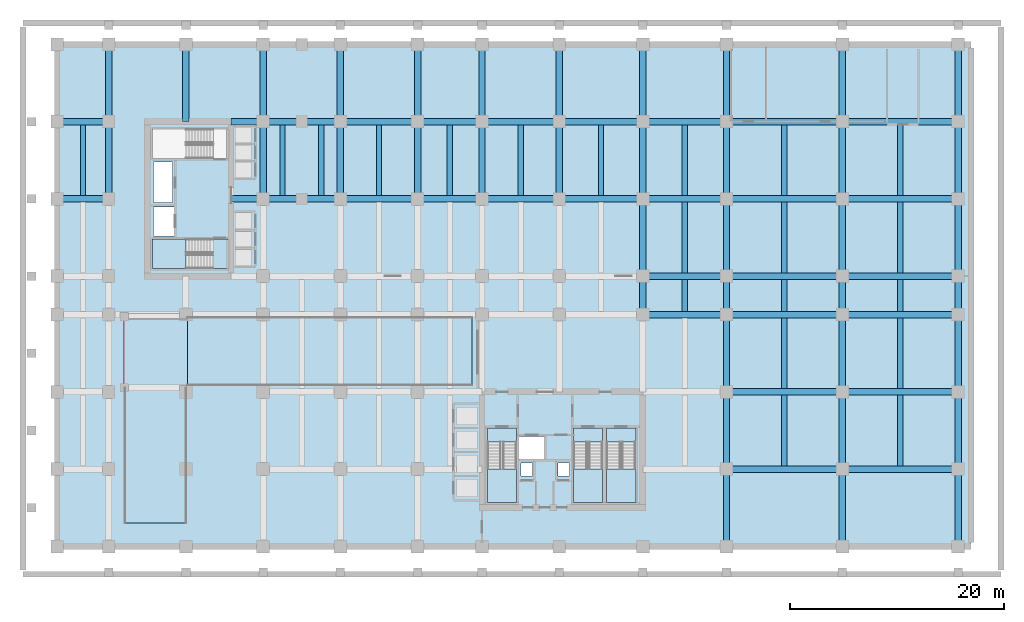
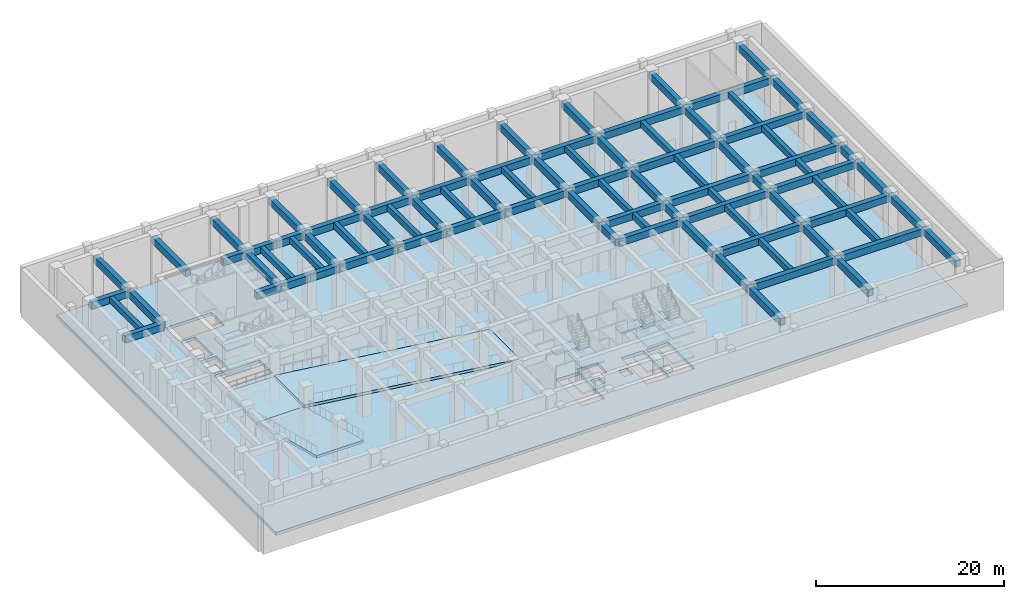
# One storey, part 2 of 13: 90 beams, 16 slabs, 4 elements without a shape of their own.
"""IFC4 building model written with IfcOpenShell, lengths in metres."""

from ifc_helpers import new_model, si_unit, derived_unit, direction, frame, origin, origin_2d, place, context, subcontext, project, spatial, polyline, rectangle, outline, extrude, source, transform, mapped, material, layer, layer_set, material_profile, profile_set, type_object, type_shapes, element, aggregate, save


model = new_model("IFC4")

# Units and contexts
model_context = context("Model", 3, precision=1e-05, world=origin(), true_north=direction((0.0, 1.0)))
body_context = subcontext(model_context, "Body", "Model", "MODEL_VIEW")
ifc_project = project(units=[si_unit("LENGTHUNIT", "METRE"), si_unit("AREAUNIT", "SQUARE_METRE"), si_unit("VOLUMEUNIT", "CUBIC_METRE"), si_unit("PLANEANGLEUNIT", "RADIAN"), si_unit("MASSUNIT", "GRAM", prefix="KILO"), si_unit("THERMODYNAMICTEMPERATUREUNIT", "KELVIN"), si_unit("POWERUNIT", "WATT"), derived_unit("THERMALTRANSMITTANCEUNIT", [(si_unit("POWERUNIT", "WATT"), 1), (si_unit("AREAUNIT", "SQUARE_METRE"), -1), (si_unit("THERMODYNAMICTEMPERATUREUNIT", "KELVIN"), -1)])], contexts=[model_context])

# Site, building, storey
site_placement = place(None, origin())
site = spatial("IfcSite", under=ifc_project, at=site_placement, CompositionType="ELEMENT")
building_placement = place(site_placement, origin())
building = spatial("IfcBuilding", under=site, at=building_placement, Name="Zahravan Archway Hotel and Residences", CompositionType="ELEMENT")
storey_placement = place(building_placement, frame((0.0, 0.0, -6.5)))
storey = spatial("IfcBuildingStorey", under=building, at=storey_placement, Name="B01", CompositionType="ELEMENT", Elevation=-6.5)

# Beams
ifc_material = material(Name="Concrete C50/60", Category="concrete")
ifc_material_profile_1 = material_profile(ifc_material, rectangle(XDim=0.60009765625, YDim=0.89990234375, at=origin_2d()), Name="RC-BM-600x900", Category="concrete")
ifc_profile_set_1 = profile_set([ifc_material_profile_1], Name="Concrete C50/60")
beam_type_1 = type_object("IfcBeamType", Name="BM-RC-600x900", PredefinedType="BEAM", material=ifc_profile_set_1)
shared_shape_1 = source(origin(), body_context, "Body", "SweptSolid", [
    extrude(rectangle(XDim=0.60009765625, YDim=0.89990234375, at=origin_2d()), origin(), (0.0, 0.0, 1.0), 4.800048828125),
])
type_shapes(beam_type_1, [shared_shape_1])
for number, where, z_axis, x_axis, name in (
    (1, (-4.800048828125, 32.39990234375, 5.64990234375), (1.0, 0.0, 0.0), (0.0, 1.0, 0.0), "B01 Primary Girder EW-36"),
    (2, (-4.800048828125, 39.60009765625, 5.64990234375), (1.0, 0.0, 0.0), (0.0, 1.0, 0.0), "B01 Primary Girder EW-47"),
):
    element("IfcBeam", number, at=place(storey_placement, frame(where, z_axis=z_axis, x_axis=x_axis)), inside=storey, type_object=beam_type_1, Name=name, PredefinedType="BEAM", context=body_context, shape_type="MappedRepresentation", body=[
        mapped(shared_shape_1, transform((0.0, 0.0, 0.0), scale=1.0)),
    ])
shared_shape_2 = source(origin(), body_context, "Body", "SweptSolid", [
    extrude(rectangle(XDim=0.60009765625, YDim=0.89990234375, at=origin_2d()), origin(), (0.0, 0.0, 1.0), 7.199951171875),
])
for number, where, z_axis, x_axis, name in (
    (3, (21.60009765625, 32.39990234375, 5.64990234375), (1.0, 0.0, 0.0), (0.0, 1.0, 0.0), "B01 Primary Girder EW-40"),
    (4, (34.800048828125, 32.39990234375, 5.64990234375), (1.0, 0.0, 0.0), (0.0, 1.0, 0.0), "B01 Primary Girder EW-42"),
    (5, (21.60009765625, 39.60009765625, 5.64990234375), (1.0, 0.0, 0.0), (0.0, 1.0, 0.0), "B01 Primary Girder EW-51"),
    (6, (34.800048828125, 39.60009765625, 5.64990234375), (1.0, 0.0, 0.0), (0.0, 1.0, 0.0), "B01 Primary Girder EW-53"),
    (7, (0.0, 39.60009765625, 5.64990234375), (0.0, 1.0, 0.0), (-1.0, 0.0, 0.0), "B01 Primary Girder NS-64"),
    (8, (7.199951171875, 39.60009765625, 5.64990234375), (0.0, 1.0, 0.0), (-1.0, 0.0, 0.0), "B01 Primary Girder NS-66"),
    (9, (14.39990234375, 39.60009765625, 5.64990234375), (0.0, 1.0, 0.0), (-1.0, 0.0, 0.0), "B01 Primary Girder NS-73"),
    (10, (21.60009765625, 39.60009765625, 5.64990234375), (0.0, 1.0, 0.0), (-1.0, 0.0, 0.0), "B01 Primary Girder NS-80"),
    (11, (28.800048828125, 39.60009765625, 5.64990234375), (0.0, 1.0, 0.0), (-1.0, 0.0, 0.0), "B01 Primary Girder NS-87"),
    (12, (34.800048828125, 39.60009765625, 5.64990234375), (0.0, 1.0, 0.0), (-1.0, 0.0, 0.0), "B01 Primary Girder NS-92"),
    (13, (42.0, 39.60009765625, 5.64990234375), (0.0, 1.0, 0.0), (-1.0, 0.0, 0.0), "B01 Primary Girder NS-97"),
    (14, (49.800048828125, 25.199951171875, 5.64990234375), (0.0, 1.0, 0.0), (-1.0, 0.0, 0.0), "B01 Primary Girder NS-100"),
    (15, (49.800048828125, 39.60009765625, 5.64990234375), (0.0, 1.0, 0.0), (-1.0, 0.0, 0.0), "B01 Primary Girder NS-102"),
    (16, (57.60009765625, 0.0, 5.64990234375), (0.0, 1.0, 0.0), (-1.0, 0.0, 0.0), "B01 Primary Girder NS-103"),
    (17, (57.60009765625, 7.199951171875, 5.64990234375), (0.0, 1.0, 0.0), (-1.0, 0.0, 0.0), "B01 Primary Girder NS-104"),
    (18, (57.60009765625, 25.199951171875, 5.64990234375), (0.0, 1.0, 0.0), (-1.0, 0.0, 0.0), "B01 Primary Girder NS-107"),
    (19, (57.60009765625, 39.60009765625, 5.64990234375), (0.0, 1.0, 0.0), (-1.0, 0.0, 0.0), "B01 Primary Girder NS-109"),
    (20, (68.39990234375, 0.0, 5.64990234375), (0.0, 1.0, 0.0), (-1.0, 0.0, 0.0), "B01 Primary Girder NS-110"),
    (21, (68.39990234375, 7.199951171875, 5.64990234375), (0.0, 1.0, 0.0), (-1.0, 0.0, 0.0), "B01 Primary Girder NS-111"),
    (22, (68.39990234375, 25.199951171875, 5.64990234375), (0.0, 1.0, 0.0), (-1.0, 0.0, 0.0), "B01 Primary Girder NS-114"),
    (23, (68.39990234375, 39.60009765625, 5.64990234375), (0.0, 1.0, 0.0), (-1.0, 0.0, 0.0), "B01 Primary Girder NS-116"),
    (24, (79.199951171875, 0.0, 5.64990234375), (0.0, 1.0, 0.0), (-1.0, 0.0, 0.0), "B01 Primary Girder NS-117"),
    (25, (79.199951171875, 7.199951171875, 5.64990234375), (0.0, 1.0, 0.0), (-1.0, 0.0, 0.0), "B01 Primary Girder NS-118"),
    (26, (79.199951171875, 25.199951171875, 5.64990234375), (0.0, 1.0, 0.0), (-1.0, 0.0, 0.0), "B01 Primary Girder NS-121"),
    (27, (79.199951171875, 39.60009765625, 5.64990234375), (0.0, 1.0, 0.0), (-1.0, 0.0, 0.0), "B01 Primary Girder NS-123"),
):
    element("IfcBeam", number, at=place(storey_placement, frame(where, z_axis=z_axis, x_axis=x_axis)), inside=storey, type_object=beam_type_1, Name=name, PredefinedType="BEAM", context=body_context, shape_type="MappedRepresentation", body=[
        mapped(shared_shape_2, transform((0.0, 0.0, 0.0), scale=1.0)),
    ])
shared_shape_3 = source(origin(), body_context, "Body", "SweptSolid", [
    extrude(rectangle(XDim=0.60009765625, YDim=0.89990234375, at=origin_2d()), origin(), (0.0, 0.0, 1.0), 7.2001953125),
])
for number, where, z_axis, x_axis, name in (
    (28, (0.0, 32.39990234375, 5.64990234375), (0.0, 1.0, 0.0), (-1.0, 0.0, 0.0), "B01 Primary Girder NS-63"),
    (29, (14.39990234375, 32.39990234375, 5.64990234375), (0.0, 1.0, 0.0), (-1.0, 0.0, 0.0), "B01 Primary Girder NS-72"),
    (30, (21.60009765625, 32.39990234375, 5.64990234375), (0.0, 1.0, 0.0), (-1.0, 0.0, 0.0), "B01 Primary Girder NS-79"),
    (31, (28.800048828125, 32.39990234375, 5.64990234375), (0.0, 1.0, 0.0), (-1.0, 0.0, 0.0), "B01 Primary Girder NS-86"),
    (32, (34.800048828125, 32.39990234375, 5.64990234375), (0.0, 1.0, 0.0), (-1.0, 0.0, 0.0), "B01 Primary Girder NS-91"),
    (33, (42.0, 32.39990234375, 5.64990234375), (0.0, 1.0, 0.0), (-1.0, 0.0, 0.0), "B01 Primary Girder NS-96"),
    (34, (49.800048828125, 32.39990234375, 5.64990234375), (0.0, 1.0, 0.0), (-1.0, 0.0, 0.0), "B01 Primary Girder NS-101"),
    (35, (57.60009765625, 14.39990234375, 5.64990234375), (0.0, 1.0, 0.0), (-1.0, 0.0, 0.0), "B01 Primary Girder NS-105"),
    (36, (57.60009765625, 32.39990234375, 5.64990234375), (0.0, 1.0, 0.0), (-1.0, 0.0, 0.0), "B01 Primary Girder NS-108"),
    (37, (68.39990234375, 14.39990234375, 5.64990234375), (0.0, 1.0, 0.0), (-1.0, 0.0, 0.0), "B01 Primary Girder NS-112"),
    (38, (68.39990234375, 32.39990234375, 5.64990234375), (0.0, 1.0, 0.0), (-1.0, 0.0, 0.0), "B01 Primary Girder NS-115"),
    (39, (79.199951171875, 14.39990234375, 5.64990234375), (0.0, 1.0, 0.0), (-1.0, 0.0, 0.0), "B01 Primary Girder NS-119"),
    (40, (79.199951171875, 32.39990234375, 5.64990234375), (0.0, 1.0, 0.0), (-1.0, 0.0, 0.0), "B01 Primary Girder NS-122"),
):
    element("IfcBeam", number, at=place(storey_placement, frame(where, z_axis=z_axis, x_axis=x_axis)), inside=storey, type_object=beam_type_1, Name=name, PredefinedType="BEAM", context=body_context, shape_type="MappedRepresentation", body=[
        mapped(shared_shape_3, transform((0.0, 0.0, 0.0), scale=1.0)),
    ])
shared_shape_4 = source(origin(), body_context, "Body", "SweptSolid", [
    extrude(rectangle(XDim=0.60009765625, YDim=0.89990234375, at=origin_2d()), origin(), (0.0, 0.0, 1.0), 6.0),
])
for number, where, z_axis, x_axis, name in (
    (41, (28.800048828125, 32.39990234375, 5.64990234375), (1.0, 0.0, 0.0), (0.0, 1.0, 0.0), "B01 Primary Girder EW-41"),
    (42, (28.800048828125, 39.60009765625, 5.64990234375), (1.0, 0.0, 0.0), (0.0, 1.0, 0.0), "B01 Primary Girder EW-52"),
):
    element("IfcBeam", number, at=place(storey_placement, frame(where, z_axis=z_axis, x_axis=x_axis)), inside=storey, type_object=beam_type_1, Name=name, PredefinedType="BEAM", context=body_context, shape_type="MappedRepresentation", body=[
        mapped(shared_shape_4, transform((0.0, 0.0, 0.0), scale=1.0)),
    ])
shared_shape_5 = source(origin(), body_context, "Body", "SweptSolid", [
    extrude(rectangle(XDim=0.60009765625, YDim=0.89990234375, at=origin_2d()), origin(), (0.0, 0.0, 1.0), 7.800048828125),
])
for number, where, z_axis, x_axis, name in (
    (43, (49.800048828125, 21.60009765625, 5.64990234375), (1.0, 0.0, 0.0), (0.0, 1.0, 0.0), "B01 Primary Girder EW-23"),
    (44, (49.800048828125, 25.199951171875, 5.64990234375), (1.0, 0.0, 0.0), (0.0, 1.0, 0.0), "B01 Primary Girder EW-33"),
    (45, (42.0, 32.39990234375, 5.64990234375), (1.0, 0.0, 0.0), (0.0, 1.0, 0.0), "B01 Primary Girder EW-43"),
    (46, (49.800048828125, 32.39990234375, 5.64990234375), (1.0, 0.0, 0.0), (0.0, 1.0, 0.0), "B01 Primary Girder EW-44"),
    (47, (42.0, 39.60009765625, 5.64990234375), (1.0, 0.0, 0.0), (0.0, 1.0, 0.0), "B01 Primary Girder EW-54"),
    (48, (49.800048828125, 39.60009765625, 5.64990234375), (1.0, 0.0, 0.0), (0.0, 1.0, 0.0), "B01 Primary Girder EW-55"),
):
    element("IfcBeam", number, at=place(storey_placement, frame(where, z_axis=z_axis, x_axis=x_axis)), inside=storey, type_object=beam_type_1, Name=name, PredefinedType="BEAM", context=body_context, shape_type="MappedRepresentation", body=[
        mapped(shared_shape_5, transform((0.0, 0.0, 0.0), scale=1.0)),
    ])
shared_shape_6 = source(origin(), body_context, "Body", "SweptSolid", [
    extrude(rectangle(XDim=0.60009765625, YDim=0.89990234375, at=origin_2d()), origin(), (0.0, 0.0, 1.0), 10.7998046875),
])
for number, where, z_axis, x_axis, name in (
    (49, (57.60009765625, 7.199951171875, 5.64990234375), (1.0, 0.0, 0.0), (0.0, 1.0, 0.0), "B01 Primary Girder EW-06"),
    (50, (57.60009765625, 14.39990234375, 5.64990234375), (1.0, 0.0, 0.0), (0.0, 1.0, 0.0), "B01 Primary Girder EW-13"),
    (51, (57.60009765625, 21.60009765625, 5.64990234375), (1.0, 0.0, 0.0), (0.0, 1.0, 0.0), "B01 Primary Girder EW-24"),
    (52, (57.60009765625, 25.199951171875, 5.64990234375), (1.0, 0.0, 0.0), (0.0, 1.0, 0.0), "B01 Primary Girder EW-34"),
    (53, (57.60009765625, 32.39990234375, 5.64990234375), (1.0, 0.0, 0.0), (0.0, 1.0, 0.0), "B01 Primary Girder EW-45"),
    (54, (57.60009765625, 39.60009765625, 5.64990234375), (1.0, 0.0, 0.0), (0.0, 1.0, 0.0), "B01 Primary Girder EW-56"),
):
    element("IfcBeam", number, at=place(storey_placement, frame(where, z_axis=z_axis, x_axis=x_axis)), inside=storey, type_object=beam_type_1, Name=name, PredefinedType="BEAM", context=body_context, shape_type="MappedRepresentation", body=[
        mapped(shared_shape_6, transform((0.0, 0.0, 0.0), scale=1.0)),
    ])
shared_shape_7 = source(origin(), body_context, "Body", "SweptSolid", [
    extrude(rectangle(XDim=0.60009765625, YDim=0.89990234375, at=origin_2d()), origin(), (0.0, 0.0, 1.0), 10.800048828125),
])
for number, where, z_axis, x_axis, name in (
    (55, (68.39990234375, 7.199951171875, 5.64990234375), (1.0, 0.0, 0.0), (0.0, 1.0, 0.0), "B01 Primary Girder EW-07"),
    (56, (68.39990234375, 14.39990234375, 5.64990234375), (1.0, 0.0, 0.0), (0.0, 1.0, 0.0), "B01 Primary Girder EW-14"),
    (57, (68.39990234375, 21.60009765625, 5.64990234375), (1.0, 0.0, 0.0), (0.0, 1.0, 0.0), "B01 Primary Girder EW-25"),
    (58, (68.39990234375, 25.199951171875, 5.64990234375), (1.0, 0.0, 0.0), (0.0, 1.0, 0.0), "B01 Primary Girder EW-35"),
    (59, (68.39990234375, 32.39990234375, 5.64990234375), (1.0, 0.0, 0.0), (0.0, 1.0, 0.0), "B01 Primary Girder EW-46"),
    (60, (68.39990234375, 39.60009765625, 5.64990234375), (1.0, 0.0, 0.0), (0.0, 1.0, 0.0), "B01 Primary Girder EW-57"),
):
    element("IfcBeam", number, at=place(storey_placement, frame(where, z_axis=z_axis, x_axis=x_axis)), inside=storey, type_object=beam_type_1, Name=name, PredefinedType="BEAM", context=body_context, shape_type="MappedRepresentation", body=[
        mapped(shared_shape_7, transform((0.0, 0.0, 0.0), scale=1.0)),
    ])
shared_shape_8 = source(origin(), body_context, "Body", "SweptSolid", [
    extrude(rectangle(XDim=0.60009765625, YDim=0.89990234375, at=origin_2d()), origin(), (0.0, 0.0, 1.0), 3.0),
])
for number, where, z_axis, x_axis, name in (
    (61, (11.39990234375, 32.39990234375, 5.64990234375), (1.0, 0.0, 0.0), (0.0, 1.0, 0.0), "B01 Primary Girder EW-37"),
    (62, (11.39990234375, 39.60009765625, 5.64990234375), (1.0, 0.0, 0.0), (0.0, 1.0, 0.0), "B01 Primary Girder EW-48"),
):
    element("IfcBeam", number, at=place(storey_placement, frame(where, z_axis=z_axis, x_axis=x_axis)), inside=storey, type_object=beam_type_1, Name=name, PredefinedType="BEAM", context=body_context, shape_type="MappedRepresentation", body=[
        mapped(shared_shape_8, transform((0.0, 0.0, 0.0), scale=1.0)),
    ])
shared_shape_9 = source(origin(), body_context, "Body", "SweptSolid", [
    extrude(rectangle(XDim=0.60009765625, YDim=0.89990234375, at=origin_2d()), origin(), (0.0, 0.0, 1.0), 3.60009765625),
])
for number, where, z_axis, x_axis, name in (
    (63, (14.39990234375, 32.39990234375, 5.64990234375), (1.0, 0.0, 0.0), (0.0, 1.0, 0.0), "B01 Primary Girder EW-38"),
    (64, (18.0, 32.39990234375, 5.64990234375), (1.0, 0.0, 0.0), (0.0, 1.0, 0.0), "B01 Primary Girder EW-39"),
    (65, (14.39990234375, 39.60009765625, 5.64990234375), (1.0, 0.0, 0.0), (0.0, 1.0, 0.0), "B01 Primary Girder EW-49"),
    (66, (18.0, 39.60009765625, 5.64990234375), (1.0, 0.0, 0.0), (0.0, 1.0, 0.0), "B01 Primary Girder EW-50"),
):
    element("IfcBeam", number, at=place(storey_placement, frame(where, z_axis=z_axis, x_axis=x_axis)), inside=storey, type_object=beam_type_1, Name=name, PredefinedType="BEAM", context=body_context, shape_type="MappedRepresentation", body=[
        mapped(shared_shape_9, transform((0.0, 0.0, 0.0), scale=1.0)),
    ])
shared_shape_10 = source(origin(), body_context, "Body", "SweptSolid", [
    extrude(rectangle(XDim=0.60009765625, YDim=0.89990234375, at=origin_2d()), origin(), (0.0, 0.0, 1.0), 3.599853515625),
])
for number, where, z_axis, x_axis, name in (
    (67, (49.800048828125, 21.60009765625, 5.64990234375), (0.0, 1.0, 0.0), (-1.0, 0.0, 0.0), "B01 Primary Girder NS-99"),
    (68, (57.60009765625, 21.60009765625, 5.64990234375), (0.0, 1.0, 0.0), (-1.0, 0.0, 0.0), "B01 Primary Girder NS-106"),
    (69, (68.39990234375, 21.60009765625, 5.64990234375), (0.0, 1.0, 0.0), (-1.0, 0.0, 0.0), "B01 Primary Girder NS-113"),
    (70, (79.199951171875, 21.60009765625, 5.64990234375), (0.0, 1.0, 0.0), (-1.0, 0.0, 0.0), "B01 Primary Girder NS-120"),
):
    element("IfcBeam", number, at=place(storey_placement, frame(where, z_axis=z_axis, x_axis=x_axis)), inside=storey, type_object=beam_type_1, Name=name, PredefinedType="BEAM", context=body_context, shape_type="MappedRepresentation", body=[
        mapped(shared_shape_10, transform((0.0, 0.0, 0.0), scale=1.0)),
    ])
ifc_material_profile_2 = material_profile(ifc_material, rectangle(XDim=0.5, YDim=0.75, at=origin_2d()), Name="RC-BM-500x750", Category="concrete")
ifc_profile_set_2 = profile_set([ifc_material_profile_2], Name="Concrete C50/60")
beam_type_2 = type_object("IfcBeamType", Name="BM-RC-500x750", PredefinedType="BEAM", material=ifc_profile_set_2)
shared_shape_11 = source(origin(), body_context, "Body", "SweptSolid", [
    extrude(rectangle(XDim=0.5, YDim=0.75, at=origin_2d()), origin(), (0.0, 0.0, 1.0), 6.60400390625),
])
type_shapes(beam_type_2, [shared_shape_11])
for number, where, z_axis, x_axis, name in (
    (71, (63.0, 7.498046875, 5.72509765625), (0.0, 1.0, 0.0), (-1.0, 0.0, 0.0), "B01 Composite Floor Joist 06"),
    (72, (73.800048828125, 7.498046875, 5.72509765625), (0.0, 1.0, 0.0), (-1.0, 0.0, 0.0), "B01 Composite Floor Joist 07"),
    (73, (63.0, 14.697998046875, 5.72509765625), (0.0, 1.0, 0.0), (-1.0, 0.0, 0.0), "B01 Composite Floor Joist 13"),
    (74, (73.800048828125, 14.697998046875, 5.72509765625), (0.0, 1.0, 0.0), (-1.0, 0.0, 0.0), "B01 Composite Floor Joist 14"),
    (75, (53.699951171875, 25.498046875, 5.72509765625), (0.0, 1.0, 0.0), (-1.0, 0.0, 0.0), "B01 Composite Floor Joist 29"),
    (76, (63.0, 25.498046875, 5.72509765625), (0.0, 1.0, 0.0), (-1.0, 0.0, 0.0), "B01 Composite Floor Joist 30"),
    (77, (73.800048828125, 25.498046875, 5.72509765625), (0.0, 1.0, 0.0), (-1.0, 0.0, 0.0), "B01 Composite Floor Joist 31"),
    (78, (-2.39990234375, 32.697998046875, 5.72509765625), (0.0, 1.0, 0.0), (-1.0, 0.0, 0.0), "B01 Composite Floor Joist 32"),
    (79, (16.199951171875, 32.697998046875, 5.72509765625), (0.0, 1.0, 0.0), (-1.0, 0.0, 0.0), "B01 Composite Floor Joist 33"),
    (80, (19.800048828125, 32.697998046875, 5.72509765625), (0.0, 1.0, 0.0), (-1.0, 0.0, 0.0), "B01 Composite Floor Joist 34"),
    (81, (25.199951171875, 32.697998046875, 5.72509765625), (0.0, 1.0, 0.0), (-1.0, 0.0, 0.0), "B01 Composite Floor Joist 35"),
    (82, (31.800048828125, 32.697998046875, 5.72509765625), (0.0, 1.0, 0.0), (-1.0, 0.0, 0.0), "B01 Composite Floor Joist 36"),
    (83, (38.39990234375, 32.697998046875, 5.72509765625), (0.0, 1.0, 0.0), (-1.0, 0.0, 0.0), "B01 Composite Floor Joist 37"),
    (84, (45.89990234375, 32.697998046875, 5.72509765625), (0.0, 1.0, 0.0), (-1.0, 0.0, 0.0), "B01 Composite Floor Joist 38"),
    (85, (53.699951171875, 32.697998046875, 5.72509765625), (0.0, 1.0, 0.0), (-1.0, 0.0, 0.0), "B01 Composite Floor Joist 39"),
    (86, (63.0, 32.697998046875, 5.72509765625), (0.0, 1.0, 0.0), (-1.0, 0.0, 0.0), "B01 Composite Floor Joist 40"),
    (87, (73.800048828125, 32.697998046875, 5.72509765625), (0.0, 1.0, 0.0), (-1.0, 0.0, 0.0), "B01 Composite Floor Joist 41"),
):
    element("IfcBeam", number, at=place(storey_placement, frame(where, z_axis=z_axis, x_axis=x_axis)), inside=storey, type_object=beam_type_2, Name=name, PredefinedType="JOIST", context=body_context, shape_type="MappedRepresentation", body=[
        mapped(shared_shape_11, transform((0.0, 0.0, 0.0), scale=1.0)),
    ])
shared_shape_12 = source(origin(), body_context, "Body", "SweptSolid", [
    extrude(rectangle(XDim=0.5, YDim=0.75, at=origin_2d()), origin(), (0.0, 0.0, 1.0), 3.004150390625),
])
for number, where, z_axis, x_axis, name in (
    (88, (53.699951171875, 21.89794921875, 5.72509765625), (0.0, 1.0, 0.0), (-1.0, 0.0, 0.0), "B01 Composite Floor Joist 21"),
    (89, (63.0, 21.89794921875, 5.72509765625), (0.0, 1.0, 0.0), (-1.0, 0.0, 0.0), "B01 Composite Floor Joist 22"),
    (90, (73.800048828125, 21.89794921875, 5.72509765625), (0.0, 1.0, 0.0), (-1.0, 0.0, 0.0), "B01 Composite Floor Joist 23"),
):
    element("IfcBeam", number, at=place(storey_placement, frame(where, z_axis=z_axis, x_axis=x_axis)), inside=storey, type_object=beam_type_2, Name=name, PredefinedType="JOIST", context=body_context, shape_type="MappedRepresentation", body=[
        mapped(shared_shape_12, transform((0.0, 0.0, 0.0), scale=1.0)),
    ])

# Slabs
ifc_layer_1 = layer(ifc_material, 0.39990234375, Name="Concrete C50/60", Category="concrete")
ifc_layer_set_1 = layer_set([ifc_layer_1], Name="Concrete C50/60")
slab_type_1 = type_object("IfcSlabType", Name="SLB-FLR-400", PredefinedType="FLOOR", material=ifc_layer_set_1)
slab_1_placement = place(storey_placement, frame((0.0, 0.0, -0.39990234375)))
element("IfcSlab", 91, at=slab_1_placement, inside=storey, type_object=slab_type_1, Name="B01 Floor Slab MAIN", PredefinedType="FLOOR", context=body_context, shape_type="SweptSolid", body=[
    extrude(outline(polyline([(-4.800048828125, 0.0), (80.39990234375, 0.0), (80.39990234375, 46.800048828125), (-4.800048828125, 46.800048828125), (-4.800048828125, 0.0)]), holes=[polyline([(35.300048828125, 9.72998046875), (35.300048828125, 4.10009765625), (38.0400390625, 4.10009765625), (38.0400390625, 9.72998046875), (35.300048828125, 9.72998046875)]), polyline([(43.320068359375, 9.72998046875), (43.320068359375, 4.10009765625), (46.06005859375, 4.10009765625), (46.06005859375, 9.72998046875), (43.320068359375, 9.72998046875)]), polyline([(46.39990234375, 9.72998046875), (46.39990234375, 4.10009765625), (49.139892578125, 4.10009765625), (49.139892578125, 9.72998046875), (46.39990234375, 9.72998046875)]), polyline([(9.72998046875, 28.639892578125), (4.10009765625, 28.639892578125), (4.10009765625, 25.89990234375), (9.72998046875, 25.89990234375), (9.72998046875, 28.639892578125)]), polyline([(9.72998046875, 38.89990234375), (4.10009765625, 38.89990234375), (4.10009765625, 36.159912109375), (9.72998046875, 36.159912109375), (9.72998046875, 38.89990234375)]), polyline([(38.179931640625, 8.14990234375), (40.699951171875, 8.14990234375), (40.699951171875, 10.25), (38.179931640625, 10.25), (38.179931640625, 8.14990234375)]), polyline([(4.14990234375, 28.949951171875), (6.10009765625, 28.949951171875), (6.10009765625, 31.64990234375), (4.14990234375, 31.64990234375), (4.14990234375, 28.949951171875)]), polyline([(30.75, 14.97998046875), (33.800048828125, 14.97998046875), (33.800048828125, 21.419921875), (30.75, 21.419921875), (30.75, 14.97998046875)]), polyline([(38.419921875, 6.56005859375), (39.5, 6.56005859375), (39.5, 7.780029296875), (38.419921875, 7.780029296875), (38.419921875, 6.56005859375)]), polyline([(41.89990234375, 6.56005859375), (42.9599609375, 6.56005859375), (42.9599609375, 7.780029296875), (41.89990234375, 7.780029296875), (41.89990234375, 6.56005859375)]), polyline([(4.179931640625, 32.050048828125), (5.93994140625, 32.050048828125), (5.93994140625, 35.840087890625), (4.179931640625, 35.840087890625), (4.179931640625, 32.050048828125)])]), origin(), (0.0, 0.0, 1.0), 0.39990234375),
])
slab_2_placement = place(storey_placement, frame((0.0, 0.0, 2.85009765625)))
element("IfcSlab", 92, at=slab_2_placement, inside=storey, type_object=slab_type_1, Name="Car Park Structural Vehicle Ramp Half-Landing", PredefinedType="FLOOR", context=body_context, shape_type="SweptSolid", body=[
    extrude(outline(polyline([(1.39990234375, 14.75), (7.35009765625, 14.75), (7.35009765625, 21.25), (1.39990234375, 21.25), (1.39990234375, 14.75)])), origin(), (0.0, 0.0, 1.0), 0.39990234375),
])

# Stair, slabs
stair_type = type_object("IfcStairType", Name="STR-CORE-1300", PredefinedType="HALF_TURN_STAIR", material=ifc_material)
stair_1_placement = place(storey_placement, origin())
stair_1 = element("IfcStair", 93, at=stair_1_placement, inside=storey, type_object=stair_type, Name="B01 Core A Exit Stair 1", PredefinedType="HALF_TURN_STAIR")
ifc_layer_2 = layer(ifc_material, 0.199951171875, Name="Concrete C50/60", Category="concrete")
ifc_layer_set_2 = layer_set([ifc_layer_2], Name="Concrete C50/60")
slab_type_2 = type_object("IfcSlabType", Name="SLB-LND-200", PredefinedType="LANDING", material=ifc_layer_set_2)
slab_3_placement = place(storey_placement, frame((0.0, 0.0, 1.425048828125)))
slab_3 = element("IfcSlab", 94, at=slab_3_placement, type_object=slab_type_2, Name="ST-A1 landing 1", PredefinedType="LANDING", context=body_context, shape_type="SweptSolid", body=[
    extrude(outline(polyline([(35.300048828125, 7.2099609375), (35.300048828125, 4.10009765625), (38.0400390625, 4.10009765625), (38.0400390625, 7.2099609375), (35.300048828125, 7.2099609375)])), origin(), (0.0, 0.0, 1.0), 0.199951171875),
])
slab_4_placement = place(storey_placement, frame((0.0, 0.0, 3.050048828125)))
slab_4 = element("IfcSlab", 95, at=slab_4_placement, type_object=slab_type_2, Name="ST-A1 landing 2", PredefinedType="LANDING", context=body_context, shape_type="SweptSolid", body=[
    extrude(outline(polyline([(35.300048828125, 11.050048828125), (35.300048828125, 9.72998046875), (38.0400390625, 9.72998046875), (38.0400390625, 11.050048828125), (35.300048828125, 11.050048828125)])), origin(), (0.0, 0.0, 1.0), 0.199951171875),
])
slab_5_placement = place(storey_placement, frame((0.0, 0.0, 4.675048828125)))
slab_5 = element("IfcSlab", 96, at=slab_5_placement, type_object=slab_type_2, Name="ST-A1 landing 3", PredefinedType="LANDING", context=body_context, shape_type="SweptSolid", body=[
    extrude(outline(polyline([(35.300048828125, 7.2099609375), (35.300048828125, 4.10009765625), (38.0400390625, 4.10009765625), (38.0400390625, 7.2099609375), (35.300048828125, 7.2099609375)])), origin(), (0.0, 0.0, 1.0), 0.199951171875),
])
aggregate(stair_1, [slab_3, slab_4, slab_5])

stair_2_placement = place(storey_placement, origin())
stair_2 = element("IfcStair", 97, at=stair_2_placement, inside=storey, type_object=stair_type, Name="B01 Core A Exit Stair 2", PredefinedType="HALF_TURN_STAIR")
slab_6_placement = place(storey_placement, frame((0.0, 0.0, 1.425048828125)))
slab_6 = element("IfcSlab", 98, at=slab_6_placement, type_object=slab_type_2, Name="ST-A2 landing 1", PredefinedType="LANDING", context=body_context, shape_type="SweptSolid", body=[
    extrude(outline(polyline([(43.320068359375, 7.2099609375), (43.320068359375, 4.10009765625), (46.06005859375, 4.10009765625), (46.06005859375, 7.2099609375), (43.320068359375, 7.2099609375)])), origin(), (0.0, 0.0, 1.0), 0.199951171875),
])
slab_7_placement = place(storey_placement, frame((0.0, 0.0, 3.050048828125)))
slab_7 = element("IfcSlab", 99, at=slab_7_placement, type_object=slab_type_2, Name="ST-A2 landing 2", PredefinedType="LANDING", context=body_context, shape_type="SweptSolid", body=[
    extrude(outline(polyline([(43.320068359375, 11.050048828125), (43.320068359375, 9.72998046875), (46.06005859375, 9.72998046875), (46.06005859375, 11.050048828125), (43.320068359375, 11.050048828125)])), origin(), (0.0, 0.0, 1.0), 0.199951171875),
])
slab_8_placement = place(storey_placement, frame((0.0, 0.0, 4.675048828125)))
slab_8 = element("IfcSlab", 100, at=slab_8_placement, type_object=slab_type_2, Name="ST-A2 landing 3", PredefinedType="LANDING", context=body_context, shape_type="SweptSolid", body=[
    extrude(outline(polyline([(43.320068359375, 7.2099609375), (43.320068359375, 4.10009765625), (46.06005859375, 4.10009765625), (46.06005859375, 7.2099609375), (43.320068359375, 7.2099609375)])), origin(), (0.0, 0.0, 1.0), 0.199951171875),
])
aggregate(stair_2, [slab_6, slab_7, slab_8])

stair_3_placement = place(storey_placement, origin())
stair_3 = element("IfcStair", 101, at=stair_3_placement, inside=storey, type_object=stair_type, Name="B01 Core A Exit Stair 3", PredefinedType="HALF_TURN_STAIR")
slab_9_placement = place(storey_placement, frame((0.0, 0.0, 1.425048828125)))
slab_9 = element("IfcSlab", 102, at=slab_9_placement, type_object=slab_type_2, Name="ST-A3 landing 1", PredefinedType="LANDING", context=body_context, shape_type="SweptSolid", body=[
    extrude(outline(polyline([(46.39990234375, 7.2099609375), (46.39990234375, 4.10009765625), (49.139892578125, 4.10009765625), (49.139892578125, 7.2099609375), (46.39990234375, 7.2099609375)])), origin(), (0.0, 0.0, 1.0), 0.199951171875),
])
slab_10_placement = place(storey_placement, frame((0.0, 0.0, 3.050048828125)))
slab_10 = element("IfcSlab", 103, at=slab_10_placement, type_object=slab_type_2, Name="ST-A3 landing 2", PredefinedType="LANDING", context=body_context, shape_type="SweptSolid", body=[
    extrude(outline(polyline([(46.39990234375, 11.050048828125), (46.39990234375, 9.72998046875), (49.139892578125, 9.72998046875), (49.139892578125, 11.050048828125), (46.39990234375, 11.050048828125)])), origin(), (0.0, 0.0, 1.0), 0.199951171875),
])
slab_11_placement = place(storey_placement, frame((0.0, 0.0, 4.675048828125)))
slab_11 = element("IfcSlab", 104, at=slab_11_placement, type_object=slab_type_2, Name="ST-A3 landing 3", PredefinedType="LANDING", context=body_context, shape_type="SweptSolid", body=[
    extrude(outline(polyline([(46.39990234375, 7.2099609375), (46.39990234375, 4.10009765625), (49.139892578125, 4.10009765625), (49.139892578125, 7.2099609375), (46.39990234375, 7.2099609375)])), origin(), (0.0, 0.0, 1.0), 0.199951171875),
])
aggregate(stair_3, [slab_9, slab_10, slab_11])

stair_4_placement = place(storey_placement, origin())
stair_4 = element("IfcStair", 105, at=stair_4_placement, inside=storey, type_object=stair_type, Name="B01 Core B Exit Stair 1", PredefinedType="HALF_TURN_STAIR")
slab_12_placement = place(storey_placement, frame((0.0, 0.0, 1.425048828125)))
slab_12 = element("IfcSlab", 106, at=slab_12_placement, type_object=slab_type_2, Name="ST-B1 landing 1", PredefinedType="LANDING", context=body_context, shape_type="SweptSolid", body=[
    extrude(outline(polyline([(7.2099609375, 28.639892578125), (4.10009765625, 28.639892578125), (4.10009765625, 25.89990234375), (7.2099609375, 25.89990234375), (7.2099609375, 28.639892578125)])), origin(), (0.0, 0.0, 1.0), 0.199951171875),
])
slab_13_placement = place(storey_placement, frame((0.0, 0.0, 3.050048828125)))
slab_13 = element("IfcSlab", 107, at=slab_13_placement, type_object=slab_type_2, Name="ST-B1 landing 2", PredefinedType="LANDING", context=body_context, shape_type="SweptSolid", body=[
    extrude(outline(polyline([(11.050048828125, 28.639892578125), (9.72998046875, 28.639892578125), (9.72998046875, 25.89990234375), (11.050048828125, 25.89990234375), (11.050048828125, 28.639892578125)])), origin(), (0.0, 0.0, 1.0), 0.199951171875),
])
slab_14_placement = place(storey_placement, frame((0.0, 0.0, 4.675048828125)))
slab_14 = element("IfcSlab", 108, at=slab_14_placement, type_object=slab_type_2, Name="ST-B1 landing 3", PredefinedType="LANDING", context=body_context, shape_type="SweptSolid", body=[
    extrude(outline(polyline([(7.2099609375, 28.639892578125), (4.10009765625, 28.639892578125), (4.10009765625, 25.89990234375), (7.2099609375, 25.89990234375), (7.2099609375, 28.639892578125)])), origin(), (0.0, 0.0, 1.0), 0.199951171875),
])
aggregate(stair_4, [slab_12, slab_13, slab_14])

# Slabs
ifc_layer_3 = layer(ifc_material, 0.35009765625, Name="Concrete C50/60", Category="concrete")
ifc_layer_set_3 = layer_set([ifc_layer_3], Name="Concrete C50/60")
slab_type_3 = type_object("IfcSlabType", Name="SLB-RMP-VEH-350", PredefinedType="FLOOR", material=ifc_layer_set_3)
slab_15_placement = place(storey_placement, frame((33.85009765625, 15.0, 0.0), z_axis=(0.0, 1.0, 0.0), x_axis=(-1.0, 0.0, 0.0)))
element("IfcSlab", 109, at=slab_15_placement, inside=storey, type_object=slab_type_3, Name="Car Park Structural Vehicle Ramp Slab 1", PredefinedType="FLOOR", context=body_context, shape_type="SweptSolid", body=[
    extrude(outline(polyline([(0.0, 0.0), (26.52001953125, 3.25), (26.52001953125, 2.89990234375), (0.0, -0.35009765625), (0.0, 0.0)])), origin(), (0.0, 0.0, 1.0), 6.39990234375),
])
slab_16_placement = place(storey_placement, frame((7.25, 14.77001953125, 3.25), z_axis=(-1.0, 0.0, 0.0), x_axis=(0.0, -1.0, 0.0)))
element("IfcSlab", 110, at=slab_16_placement, inside=storey, type_object=slab_type_3, Name="Car Park Structural Vehicle Ramp Slab 2", PredefinedType="FLOOR", context=body_context, shape_type="SweptSolid", body=[
    extrude(outline(polyline([(0.0, 0.0), (12.590087890625, 3.25), (12.590087890625, 2.89990234375), (0.0, -0.35009765625), (0.0, 0.0)])), origin(), (0.0, 0.0, 1.0), 5.800048828125),
])

save(model, "model.ifc")
